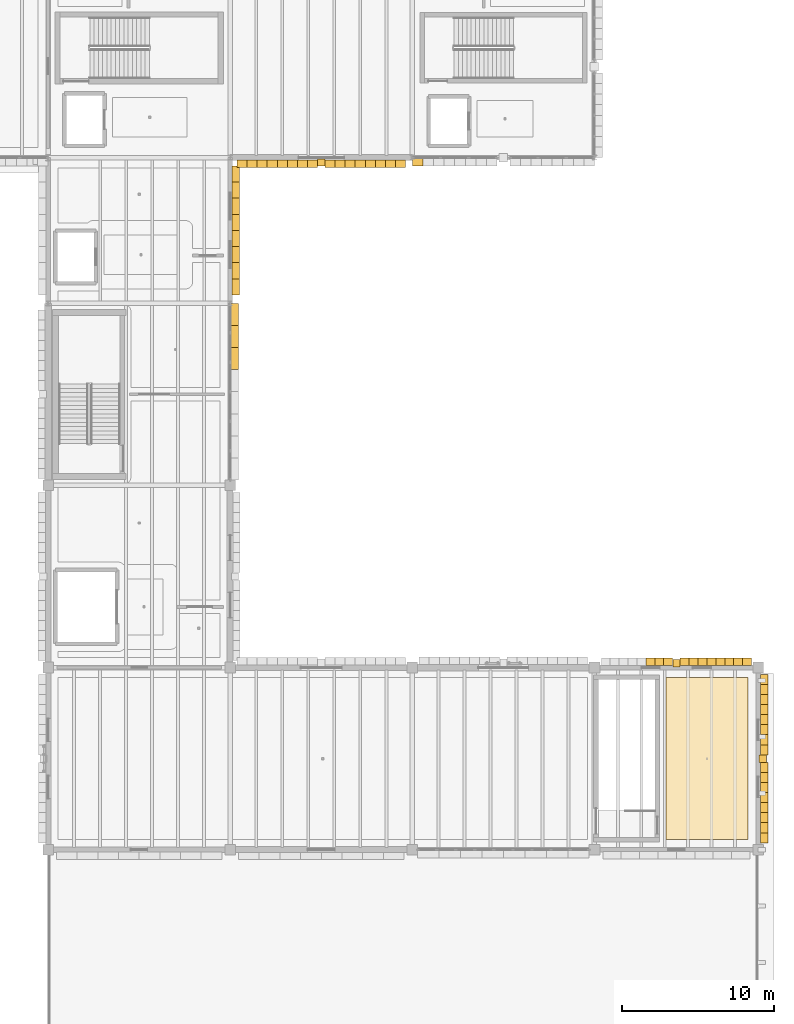
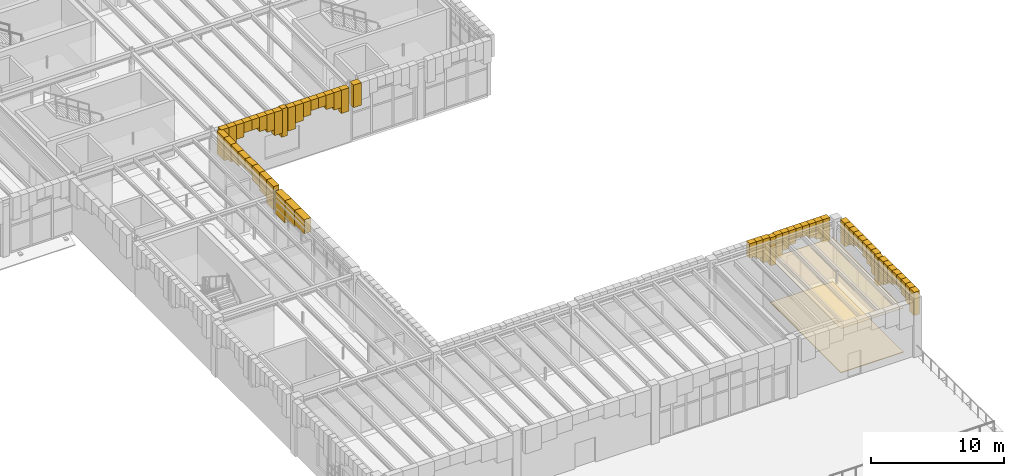
# One storey, part 92 of 100: 60 coverings.
"""IFC4 building model written with IfcOpenShell, lengths in metres."""

from ifc_helpers import new_model, si_unit, direction, frame, origin, place, context, subcontext, project, spatial, polyline, outline, extrude, material, layer, layer_set, type_object, element, save


model = new_model("IFC4")

# Units and contexts
model_context = context("Model", 3, precision=1e-05, world=origin(), true_north=direction((0.0, 1.0)))
body_context = subcontext(model_context, "Body", "Model", "MODEL_VIEW")
ifc_project = project(units=[si_unit("LENGTHUNIT", "METRE"), si_unit("AREAUNIT", "SQUARE_METRE"), si_unit("VOLUMEUNIT", "CUBIC_METRE"), si_unit("PLANEANGLEUNIT", "RADIAN"), si_unit("MASSUNIT", "GRAM", prefix="KILO")], contexts=[model_context])

# Site, building, storey
site_placement = place(None, origin())
site = spatial("IfcSite", under=ifc_project, at=site_placement, CompositionType="ELEMENT")
building_placement = place(site_placement, origin())
building = spatial("IfcBuilding", under=site, at=building_placement, Name="Zlatogorsky Bluff Art Gallery", CompositionType="ELEMENT")
storey_placement = place(building_placement, frame((0.0, 0.0, 5.39990234375)))
storey = spatial("IfcBuildingStorey", under=building, at=storey_placement, Name="L01", CompositionType="ELEMENT", Elevation=5.39990234375)

# Coverings
ifc_material_1 = material(Name="Perforated Gypsum Acoustic Board", Category="gypsum")
ifc_layer_1 = layer(ifc_material_1, 0.0400390625)
ifc_layer_set_1 = layer_set([ifc_layer_1], Name="Acoustic Gallery Ceiling CLG-01")
covering_type_1 = type_object("IfcCoveringType", Name="Acoustic Gallery Ceiling CLG-01", PredefinedType="CEILING", material=ifc_layer_set_1)
covering_1_placement = place(storey_placement, frame((0.0, 0.0, 4.050048828125)))
element("IfcCovering", 1, at=covering_1_placement, inside=storey, type_object=covering_type_1, Name="Paper and Textile Conservation Studio acoustic ceiling", PredefinedType="CEILING", context=body_context, shape_type="SweptSolid", body=[
    extrude(outline(polyline([(160.7099609375, 49.72998046875), (166.1298828125, 49.72998046875), (166.1298828125, 39.070068359375), (160.7099609375, 39.070068359375), (160.7099609375, 49.72998046875)])), origin(), (0.0, 0.0, 1.0), 0.0400390625),
])
ifc_material_2 = material(Name="Honed Red Agra-Tone Quartzitic Sandstone", Category="masonry")
ifc_layer_2 = layer(ifc_material_2, 0.1201171875)
ifc_layer_set_2 = layer_set([ifc_layer_2], Name="Carved Sandstone Cladding CLD-02")
covering_type_2 = type_object("IfcCoveringType", Name="Carved Sandstone Cladding CLD-02", PredefinedType="CLADDING", material=ifc_layer_set_2)
covering_2_placement = place(storey_placement, frame((0.0, 0.0, 4.076416015625)))
element("IfcCovering", 2, at=covering_2_placement, inside=storey, type_object=covering_type_2, Name="Pointed Mughal arch voussoir spandrel ARCH-CW-L01-E-10-06.6", PredefinedType="CLADDING", context=body_context, shape_type="SweptSolid", body=[
    extrude(outline(polyline([(131.969970703125, 70.029296875), (131.969970703125, 71.486328125), (132.5400390625, 71.486328125), (132.5400390625, 70.029296875), (131.969970703125, 70.029296875)])), origin(), (0.0, 0.0, 1.0), 1.28369140625),
])
covering_3_placement = place(storey_placement, frame((0.0, 0.0, 3.7998046875)))
element("IfcCovering", 3, at=covering_3_placement, inside=storey, type_object=covering_type_2, Name="Pointed Mughal arch voussoir spandrel ARCH-CW-L01-E-10-06.7", PredefinedType="CLADDING", context=body_context, shape_type="SweptSolid", body=[
    extrude(outline(polyline([(131.969970703125, 71.486328125), (131.969970703125, 72.943115234375), (132.5400390625, 72.943115234375), (132.5400390625, 71.486328125), (131.969970703125, 71.486328125)])), origin(), (0.0, 0.0, 1.0), 1.560302734375),
])
covering_4_placement = place(storey_placement, frame((0.0, 0.0, 3.2978515625)))
element("IfcCovering", 4, at=covering_4_placement, inside=storey, type_object=covering_type_2, Name="Pointed Mughal arch voussoir spandrel ARCH-CW-L01-E-10-06.8", PredefinedType="CLADDING", context=body_context, shape_type="SweptSolid", body=[
    extrude(outline(polyline([(131.969970703125, 72.943115234375), (131.969970703125, 74.39990234375), (132.5400390625, 74.39990234375), (132.5400390625, 72.943115234375), (131.969970703125, 72.943115234375)])), origin(), (0.0, 0.0, 1.0), 2.062255859375),
])
covering_5_placement = place(storey_placement, frame((0.0, 0.0, 3.222412109375)))
element("IfcCovering", 5, at=covering_5_placement, inside=storey, type_object=covering_type_2, Name="Pointed Mughal arch voussoir spandrel WARCH-L01-E-10-07-A.1", PredefinedType="CLADDING", context=body_context, shape_type="SweptSolid", body=[
    extrude(outline(polyline([(132.1298828125, 74.949951171875), (132.1298828125, 76.012451171875), (132.6201171875, 76.012451171875), (132.6201171875, 74.949951171875), (132.1298828125, 74.949951171875)])), origin(), (0.0, 0.0, 1.0), 2.1376953125),
])
covering_6_placement = place(storey_placement, frame((0.0, 0.0, 3.75390625)))
element("IfcCovering", 6, at=covering_6_placement, inside=storey, type_object=covering_type_2, Name="Pointed Mughal arch voussoir spandrel WARCH-L01-E-10-07-A.2", PredefinedType="CLADDING", context=body_context, shape_type="SweptSolid", body=[
    extrude(outline(polyline([(132.1298828125, 76.012451171875), (132.1298828125, 77.074951171875), (132.6201171875, 77.074951171875), (132.6201171875, 76.012451171875), (132.1298828125, 76.012451171875)])), origin(), (0.0, 0.0, 1.0), 1.606201171875),
])
covering_7_placement = place(storey_placement, frame((0.0, 0.0, 4.046875)))
element("IfcCovering", 7, at=covering_7_placement, inside=storey, type_object=covering_type_2, Name="Pointed Mughal arch voussoir spandrel WARCH-L01-E-10-07-A.3", PredefinedType="CLADDING", context=body_context, shape_type="SweptSolid", body=[
    extrude(outline(polyline([(132.1298828125, 77.074951171875), (132.1298828125, 78.137451171875), (132.6201171875, 78.137451171875), (132.6201171875, 77.074951171875), (132.1298828125, 77.074951171875)])), origin(), (0.0, 0.0, 1.0), 1.313232421875),
])
covering_8_placement = place(storey_placement, frame((0.0, 0.0, 4.41552734375)))
element("IfcCovering", 8, at=covering_8_placement, inside=storey, type_object=covering_type_2, Name="Pointed Mughal arch voussoir spandrel WARCH-L01-E-10-07-A.4", PredefinedType="CLADDING", context=body_context, shape_type="SweptSolid", body=[
    extrude(outline(polyline([(132.1298828125, 78.137451171875), (132.1298828125, 79.199951171875), (132.6201171875, 79.199951171875), (132.6201171875, 78.137451171875), (132.1298828125, 78.137451171875)])), origin(), (0.0, 0.0, 1.0), 0.944580078125),
])
covering_9_placement = place(storey_placement, frame((0.0, 0.0, 4.41552734375)))
element("IfcCovering", 9, at=covering_9_placement, inside=storey, type_object=covering_type_2, Name="Pointed Mughal arch voussoir spandrel WARCH-L01-E-10-07-A.5", PredefinedType="CLADDING", context=body_context, shape_type="SweptSolid", body=[
    extrude(outline(polyline([(132.1298828125, 79.199951171875), (132.1298828125, 80.262451171875), (132.6201171875, 80.262451171875), (132.6201171875, 79.199951171875), (132.1298828125, 79.199951171875)])), origin(), (0.0, 0.0, 1.0), 0.944580078125),
])
covering_10_placement = place(storey_placement, frame((0.0, 0.0, 4.046875)))
element("IfcCovering", 10, at=covering_10_placement, inside=storey, type_object=covering_type_2, Name="Pointed Mughal arch voussoir spandrel WARCH-L01-E-10-07-A.6", PredefinedType="CLADDING", context=body_context, shape_type="SweptSolid", body=[
    extrude(outline(polyline([(132.1298828125, 80.262451171875), (132.1298828125, 81.324951171875), (132.6201171875, 81.324951171875), (132.6201171875, 80.262451171875), (132.1298828125, 80.262451171875)])), origin(), (0.0, 0.0, 1.0), 1.313232421875),
])
covering_11_placement = place(storey_placement, frame((0.0, 0.0, 3.75390625)))
element("IfcCovering", 11, at=covering_11_placement, inside=storey, type_object=covering_type_2, Name="Pointed Mughal arch voussoir spandrel WARCH-L01-E-10-07-A.7", PredefinedType="CLADDING", context=body_context, shape_type="SweptSolid", body=[
    extrude(outline(polyline([(132.1298828125, 81.324951171875), (132.1298828125, 82.387451171875), (132.6201171875, 82.387451171875), (132.6201171875, 81.324951171875), (132.1298828125, 81.324951171875)])), origin(), (0.0, 0.0, 1.0), 1.606201171875),
])
covering_12_placement = place(storey_placement, frame((0.0, 0.0, 3.222412109375)))
element("IfcCovering", 12, at=covering_12_placement, inside=storey, type_object=covering_type_2, Name="Pointed Mughal arch voussoir spandrel WARCH-L01-E-10-07-A.8", PredefinedType="CLADDING", context=body_context, shape_type="SweptSolid", body=[
    extrude(outline(polyline([(132.1298828125, 82.387451171875), (132.1298828125, 83.449951171875), (132.6201171875, 83.449951171875), (132.6201171875, 82.387451171875), (132.1298828125, 82.387451171875)])), origin(), (0.0, 0.0, 1.0), 2.1376953125),
])
covering_13_placement = place(storey_placement, frame((0.0, 0.0, 2.780029296875)))
element("IfcCovering", 13, at=covering_13_placement, inside=storey, type_object=covering_type_2, Name="Mughal blind-arch sandstone pilaster L01.S.11.8", PredefinedType="CLADDING", context=body_context, shape_type="SweptSolid", body=[
    extrude(outline(polyline([(137.760009765625, 83.43994140625), (138.239990234375, 83.43994140625), (138.239990234375, 83.919921875), (137.760009765625, 83.919921875), (137.760009765625, 83.43994140625)])), origin(), (0.0, 0.0, 1.0), 2.580078125),
])
covering_14_placement = place(storey_placement, frame((0.0, 0.0, 3.222412109375)))
element("IfcCovering", 14, at=covering_14_placement, inside=storey, type_object=covering_type_2, Name="Pointed Mughal arch voussoir spandrel WARCH-L01-S-11-08-A.1", PredefinedType="CLADDING", context=body_context, shape_type="SweptSolid", body=[
    extrude(outline(polyline([(132.449951171875, 83.340087890625), (133.112548828125, 83.340087890625), (133.112548828125, 83.830078125), (132.449951171875, 83.830078125), (132.449951171875, 83.340087890625)])), origin(), (0.0, 0.0, 1.0), 2.1376953125),
])
covering_15_placement = place(storey_placement, frame((0.0, 0.0, 3.75390625)))
element("IfcCovering", 15, at=covering_15_placement, inside=storey, type_object=covering_type_2, Name="Pointed Mughal arch voussoir spandrel WARCH-L01-S-11-08-A.2", PredefinedType="CLADDING", context=body_context, shape_type="SweptSolid", body=[
    extrude(outline(polyline([(133.112548828125, 83.340087890625), (133.77490234375, 83.340087890625), (133.77490234375, 83.830078125), (133.112548828125, 83.830078125), (133.112548828125, 83.340087890625)])), origin(), (0.0, 0.0, 1.0), 1.606201171875),
])
covering_16_placement = place(storey_placement, frame((0.0, 0.0, 4.046875)))
element("IfcCovering", 16, at=covering_16_placement, inside=storey, type_object=covering_type_2, Name="Pointed Mughal arch voussoir spandrel WARCH-L01-S-11-08-A.3", PredefinedType="CLADDING", context=body_context, shape_type="SweptSolid", body=[
    extrude(outline(polyline([(133.77490234375, 83.340087890625), (134.4375, 83.340087890625), (134.4375, 83.830078125), (133.77490234375, 83.830078125), (133.77490234375, 83.340087890625)])), origin(), (0.0, 0.0, 1.0), 1.313232421875),
])
covering_17_placement = place(storey_placement, frame((0.0, 0.0, 4.41552734375)))
element("IfcCovering", 17, at=covering_17_placement, inside=storey, type_object=covering_type_2, Name="Pointed Mughal arch voussoir spandrel WARCH-L01-S-11-08-A.4", PredefinedType="CLADDING", context=body_context, shape_type="SweptSolid", body=[
    extrude(outline(polyline([(134.4375, 83.340087890625), (135.10009765625, 83.340087890625), (135.10009765625, 83.830078125), (134.4375, 83.830078125), (134.4375, 83.340087890625)])), origin(), (0.0, 0.0, 1.0), 0.944580078125),
])
covering_18_placement = place(storey_placement, frame((0.0, 0.0, 4.41552734375)))
element("IfcCovering", 18, at=covering_18_placement, inside=storey, type_object=covering_type_2, Name="Pointed Mughal arch voussoir spandrel WARCH-L01-S-11-08-A.5", PredefinedType="CLADDING", context=body_context, shape_type="SweptSolid", body=[
    extrude(outline(polyline([(135.10009765625, 83.340087890625), (135.762451171875, 83.340087890625), (135.762451171875, 83.830078125), (135.10009765625, 83.830078125), (135.10009765625, 83.340087890625)])), origin(), (0.0, 0.0, 1.0), 0.944580078125),
])
covering_19_placement = place(storey_placement, frame((0.0, 0.0, 4.046875)))
element("IfcCovering", 19, at=covering_19_placement, inside=storey, type_object=covering_type_2, Name="Pointed Mughal arch voussoir spandrel WARCH-L01-S-11-08-A.6", PredefinedType="CLADDING", context=body_context, shape_type="SweptSolid", body=[
    extrude(outline(polyline([(135.762451171875, 83.340087890625), (136.425048828125, 83.340087890625), (136.425048828125, 83.830078125), (135.762451171875, 83.830078125), (135.762451171875, 83.340087890625)])), origin(), (0.0, 0.0, 1.0), 1.313232421875),
])
covering_20_placement = place(storey_placement, frame((0.0, 0.0, 3.75390625)))
element("IfcCovering", 20, at=covering_20_placement, inside=storey, type_object=covering_type_2, Name="Pointed Mughal arch voussoir spandrel WARCH-L01-S-11-08-A.7", PredefinedType="CLADDING", context=body_context, shape_type="SweptSolid", body=[
    extrude(outline(polyline([(136.425048828125, 83.340087890625), (137.08740234375, 83.340087890625), (137.08740234375, 83.830078125), (136.425048828125, 83.830078125), (136.425048828125, 83.340087890625)])), origin(), (0.0, 0.0, 1.0), 1.606201171875),
])
covering_21_placement = place(storey_placement, frame((0.0, 0.0, 3.222412109375)))
element("IfcCovering", 21, at=covering_21_placement, inside=storey, type_object=covering_type_2, Name="Pointed Mughal arch voussoir spandrel WARCH-L01-S-11-08-A.8", PredefinedType="CLADDING", context=body_context, shape_type="SweptSolid", body=[
    extrude(outline(polyline([(137.08740234375, 83.340087890625), (137.75, 83.340087890625), (137.75, 83.830078125), (137.08740234375, 83.830078125), (137.08740234375, 83.340087890625)])), origin(), (0.0, 0.0, 1.0), 2.1376953125),
])
covering_22_placement = place(storey_placement, frame((0.0, 0.0, 3.222412109375)))
element("IfcCovering", 22, at=covering_22_placement, inside=storey, type_object=covering_type_2, Name="Pointed Mughal arch voussoir spandrel WARCH-L01-S-11-08-B.1", PredefinedType="CLADDING", context=body_context, shape_type="SweptSolid", body=[
    extrude(outline(polyline([(138.25, 83.340087890625), (138.91259765625, 83.340087890625), (138.91259765625, 83.830078125), (138.25, 83.830078125), (138.25, 83.340087890625)])), origin(), (0.0, 0.0, 1.0), 2.1376953125),
])
covering_23_placement = place(storey_placement, frame((0.0, 0.0, 3.75390625)))
element("IfcCovering", 23, at=covering_23_placement, inside=storey, type_object=covering_type_2, Name="Pointed Mughal arch voussoir spandrel WARCH-L01-S-11-08-B.2", PredefinedType="CLADDING", context=body_context, shape_type="SweptSolid", body=[
    extrude(outline(polyline([(138.91259765625, 83.340087890625), (139.574951171875, 83.340087890625), (139.574951171875, 83.830078125), (138.91259765625, 83.830078125), (138.91259765625, 83.340087890625)])), origin(), (0.0, 0.0, 1.0), 1.606201171875),
])
covering_24_placement = place(storey_placement, frame((0.0, 0.0, 4.046875)))
element("IfcCovering", 24, at=covering_24_placement, inside=storey, type_object=covering_type_2, Name="Pointed Mughal arch voussoir spandrel WARCH-L01-S-11-08-B.3", PredefinedType="CLADDING", context=body_context, shape_type="SweptSolid", body=[
    extrude(outline(polyline([(139.574951171875, 83.340087890625), (140.237548828125, 83.340087890625), (140.237548828125, 83.830078125), (139.574951171875, 83.830078125), (139.574951171875, 83.340087890625)])), origin(), (0.0, 0.0, 1.0), 1.313232421875),
])
covering_25_placement = place(storey_placement, frame((0.0, 0.0, 4.41552734375)))
element("IfcCovering", 25, at=covering_25_placement, inside=storey, type_object=covering_type_2, Name="Pointed Mughal arch voussoir spandrel WARCH-L01-S-11-08-B.4", PredefinedType="CLADDING", context=body_context, shape_type="SweptSolid", body=[
    extrude(outline(polyline([(140.237548828125, 83.340087890625), (140.89990234375, 83.340087890625), (140.89990234375, 83.830078125), (140.237548828125, 83.830078125), (140.237548828125, 83.340087890625)])), origin(), (0.0, 0.0, 1.0), 0.944580078125),
])
covering_26_placement = place(storey_placement, frame((0.0, 0.0, 4.41552734375)))
element("IfcCovering", 26, at=covering_26_placement, inside=storey, type_object=covering_type_2, Name="Pointed Mughal arch voussoir spandrel WARCH-L01-S-11-08-B.5", PredefinedType="CLADDING", context=body_context, shape_type="SweptSolid", body=[
    extrude(outline(polyline([(140.89990234375, 83.340087890625), (141.5625, 83.340087890625), (141.5625, 83.830078125), (140.89990234375, 83.830078125), (140.89990234375, 83.340087890625)])), origin(), (0.0, 0.0, 1.0), 0.944580078125),
])
covering_27_placement = place(storey_placement, frame((0.0, 0.0, 4.046875)))
element("IfcCovering", 27, at=covering_27_placement, inside=storey, type_object=covering_type_2, Name="Pointed Mughal arch voussoir spandrel WARCH-L01-S-11-08-B.6", PredefinedType="CLADDING", context=body_context, shape_type="SweptSolid", body=[
    extrude(outline(polyline([(141.5625, 83.340087890625), (142.22509765625, 83.340087890625), (142.22509765625, 83.830078125), (141.5625, 83.830078125), (141.5625, 83.340087890625)])), origin(), (0.0, 0.0, 1.0), 1.313232421875),
])
covering_28_placement = place(storey_placement, frame((0.0, 0.0, 3.75390625)))
element("IfcCovering", 28, at=covering_28_placement, inside=storey, type_object=covering_type_2, Name="Pointed Mughal arch voussoir spandrel WARCH-L01-S-11-08-B.7", PredefinedType="CLADDING", context=body_context, shape_type="SweptSolid", body=[
    extrude(outline(polyline([(142.22509765625, 83.340087890625), (142.887451171875, 83.340087890625), (142.887451171875, 83.830078125), (142.22509765625, 83.830078125), (142.22509765625, 83.340087890625)])), origin(), (0.0, 0.0, 1.0), 1.606201171875),
])
covering_29_placement = place(storey_placement, frame((0.0, 0.0, 3.222412109375)))
element("IfcCovering", 29, at=covering_29_placement, inside=storey, type_object=covering_type_2, Name="Pointed Mughal arch voussoir spandrel WARCH-L01-S-11-08-B.8", PredefinedType="CLADDING", context=body_context, shape_type="SweptSolid", body=[
    extrude(outline(polyline([(142.887451171875, 83.340087890625), (143.550048828125, 83.340087890625), (143.550048828125, 83.830078125), (142.887451171875, 83.830078125), (142.887451171875, 83.340087890625)])), origin(), (0.0, 0.0, 1.0), 2.1376953125),
])
covering_30_placement = place(storey_placement, frame((0.0, 0.0, 3.2978515625)))
element("IfcCovering", 30, at=covering_30_placement, inside=storey, type_object=covering_type_2, Name="Pointed Mughal arch voussoir spandrel ARCH-CW-L01-S-12-08-A.1", PredefinedType="CLADDING", context=body_context, shape_type="SweptSolid", body=[
    extrude(outline(polyline([(144.0, 83.4599609375), (144.697509765625, 83.4599609375), (144.697509765625, 84.030029296875), (144.0, 84.030029296875), (144.0, 83.4599609375)])), origin(), (0.0, 0.0, 1.0), 2.062255859375),
])
covering_31_placement = place(storey_placement, frame((0.0, 0.0, 2.780029296875)))
element("IfcCovering", 31, at=covering_31_placement, inside=storey, type_object=covering_type_2, Name="Mughal blind-arch sandstone pilaster L01.N.13.4", PredefinedType="CLADDING", context=body_context, shape_type="SweptSolid", body=[
    extrude(outline(polyline([(161.159912109375, 50.43994140625), (161.639892578125, 50.43994140625), (161.639892578125, 50.919921875), (161.159912109375, 50.919921875), (161.159912109375, 50.43994140625)])), origin(), (0.0, 0.0, 1.0), 2.580078125),
])
covering_32_placement = place(storey_placement, frame((0.0, 0.0, 4.046875)))
element("IfcCovering", 32, at=covering_32_placement, inside=storey, type_object=covering_type_2, Name="Pointed Mughal arch voussoir spandrel WARCH-L01-N-13-04-A.6", PredefinedType="CLADDING", context=body_context, shape_type="SweptSolid", body=[
    extrude(outline(polyline([(159.387451171875, 50.530029296875), (159.97509765625, 50.530029296875), (159.97509765625, 51.02001953125), (159.387451171875, 51.02001953125), (159.387451171875, 50.530029296875)])), origin(), (0.0, 0.0, 1.0), 1.313232421875),
])
covering_33_placement = place(storey_placement, frame((0.0, 0.0, 3.75390625)))
element("IfcCovering", 33, at=covering_33_placement, inside=storey, type_object=covering_type_2, Name="Pointed Mughal arch voussoir spandrel WARCH-L01-N-13-04-A.7", PredefinedType="CLADDING", context=body_context, shape_type="SweptSolid", body=[
    extrude(outline(polyline([(159.97509765625, 50.530029296875), (160.5625, 50.530029296875), (160.5625, 51.02001953125), (159.97509765625, 51.02001953125), (159.97509765625, 50.530029296875)])), origin(), (0.0, 0.0, 1.0), 1.606201171875),
])
covering_34_placement = place(storey_placement, frame((0.0, 0.0, 3.222412109375)))
element("IfcCovering", 34, at=covering_34_placement, inside=storey, type_object=covering_type_2, Name="Pointed Mughal arch voussoir spandrel WARCH-L01-N-13-04-A.8", PredefinedType="CLADDING", context=body_context, shape_type="SweptSolid", body=[
    extrude(outline(polyline([(160.5625, 50.530029296875), (161.14990234375, 50.530029296875), (161.14990234375, 51.02001953125), (160.5625, 51.02001953125), (160.5625, 50.530029296875)])), origin(), (0.0, 0.0, 1.0), 2.1376953125),
])
covering_35_placement = place(storey_placement, frame((0.0, 0.0, 3.222412109375)))
element("IfcCovering", 35, at=covering_35_placement, inside=storey, type_object=covering_type_2, Name="Pointed Mughal arch voussoir spandrel WARCH-L01-N-13-04-B.1", PredefinedType="CLADDING", context=body_context, shape_type="SweptSolid", body=[
    extrude(outline(polyline([(161.64990234375, 50.530029296875), (162.237548828125, 50.530029296875), (162.237548828125, 51.02001953125), (161.64990234375, 51.02001953125), (161.64990234375, 50.530029296875)])), origin(), (0.0, 0.0, 1.0), 2.1376953125),
])
covering_36_placement = place(storey_placement, frame((0.0, 0.0, 3.75390625)))
element("IfcCovering", 36, at=covering_36_placement, inside=storey, type_object=covering_type_2, Name="Pointed Mughal arch voussoir spandrel WARCH-L01-N-13-04-B.2", PredefinedType="CLADDING", context=body_context, shape_type="SweptSolid", body=[
    extrude(outline(polyline([(162.237548828125, 50.530029296875), (162.824951171875, 50.530029296875), (162.824951171875, 51.02001953125), (162.237548828125, 51.02001953125), (162.237548828125, 50.530029296875)])), origin(), (0.0, 0.0, 1.0), 1.606201171875),
])
covering_37_placement = place(storey_placement, frame((0.0, 0.0, 4.046875)))
element("IfcCovering", 37, at=covering_37_placement, inside=storey, type_object=covering_type_2, Name="Pointed Mughal arch voussoir spandrel WARCH-L01-N-13-04-B.3", PredefinedType="CLADDING", context=body_context, shape_type="SweptSolid", body=[
    extrude(outline(polyline([(162.824951171875, 50.530029296875), (163.41259765625, 50.530029296875), (163.41259765625, 51.02001953125), (162.824951171875, 51.02001953125), (162.824951171875, 50.530029296875)])), origin(), (0.0, 0.0, 1.0), 1.313232421875),
])
covering_38_placement = place(storey_placement, frame((0.0, 0.0, 4.41552734375)))
element("IfcCovering", 38, at=covering_38_placement, inside=storey, type_object=covering_type_2, Name="Pointed Mughal arch voussoir spandrel WARCH-L01-N-13-04-B.4", PredefinedType="CLADDING", context=body_context, shape_type="SweptSolid", body=[
    extrude(outline(polyline([(163.41259765625, 50.530029296875), (164.0, 50.530029296875), (164.0, 51.02001953125), (163.41259765625, 51.02001953125), (163.41259765625, 50.530029296875)])), origin(), (0.0, 0.0, 1.0), 0.944580078125),
])
covering_39_placement = place(storey_placement, frame((0.0, 0.0, 4.41552734375)))
element("IfcCovering", 39, at=covering_39_placement, inside=storey, type_object=covering_type_2, Name="Pointed Mughal arch voussoir spandrel WARCH-L01-N-13-04-B.5", PredefinedType="CLADDING", context=body_context, shape_type="SweptSolid", body=[
    extrude(outline(polyline([(164.0, 50.530029296875), (164.58740234375, 50.530029296875), (164.58740234375, 51.02001953125), (164.0, 51.02001953125), (164.0, 50.530029296875)])), origin(), (0.0, 0.0, 1.0), 0.944580078125),
])
covering_40_placement = place(storey_placement, frame((0.0, 0.0, 4.046875)))
element("IfcCovering", 40, at=covering_40_placement, inside=storey, type_object=covering_type_2, Name="Pointed Mughal arch voussoir spandrel WARCH-L01-N-13-04-B.6", PredefinedType="CLADDING", context=body_context, shape_type="SweptSolid", body=[
    extrude(outline(polyline([(164.58740234375, 50.530029296875), (165.175048828125, 50.530029296875), (165.175048828125, 51.02001953125), (164.58740234375, 51.02001953125), (164.58740234375, 50.530029296875)])), origin(), (0.0, 0.0, 1.0), 1.313232421875),
])
covering_41_placement = place(storey_placement, frame((0.0, 0.0, 3.75390625)))
element("IfcCovering", 41, at=covering_41_placement, inside=storey, type_object=covering_type_2, Name="Pointed Mughal arch voussoir spandrel WARCH-L01-N-13-04-B.7", PredefinedType="CLADDING", context=body_context, shape_type="SweptSolid", body=[
    extrude(outline(polyline([(165.175048828125, 50.530029296875), (165.762451171875, 50.530029296875), (165.762451171875, 51.02001953125), (165.175048828125, 51.02001953125), (165.175048828125, 50.530029296875)])), origin(), (0.0, 0.0, 1.0), 1.606201171875),
])
covering_42_placement = place(storey_placement, frame((0.0, 0.0, 3.222412109375)))
element("IfcCovering", 42, at=covering_42_placement, inside=storey, type_object=covering_type_2, Name="Pointed Mughal arch voussoir spandrel WARCH-L01-N-13-04-B.8", PredefinedType="CLADDING", context=body_context, shape_type="SweptSolid", body=[
    extrude(outline(polyline([(165.762451171875, 50.530029296875), (166.35009765625, 50.530029296875), (166.35009765625, 51.02001953125), (165.762451171875, 51.02001953125), (165.762451171875, 50.530029296875)])), origin(), (0.0, 0.0, 1.0), 2.1376953125),
])
covering_43_placement = place(storey_placement, frame((0.0, 0.0, 2.780029296875)))
element("IfcCovering", 43, at=covering_43_placement, inside=storey, type_object=covering_type_2, Name="Mughal blind-arch sandstone pilaster L01.E.13.4", PredefinedType="CLADDING", context=body_context, shape_type="SweptSolid", body=[
    extrude(outline(polyline([(166.840087890625, 44.159912109375), (167.320068359375, 44.159912109375), (167.320068359375, 44.639892578125), (166.840087890625, 44.639892578125), (166.840087890625, 44.159912109375)])), origin(), (0.0, 0.0, 1.0), 2.580078125),
])
covering_44_placement = place(storey_placement, frame((0.0, 0.0, 3.222412109375)))
element("IfcCovering", 44, at=covering_44_placement, inside=storey, type_object=covering_type_2, Name="Pointed Mughal arch voussoir spandrel WARCH-L01-E-13-04-A.1", PredefinedType="CLADDING", context=body_context, shape_type="SweptSolid", body=[
    extrude(outline(polyline([(166.929931640625, 38.85009765625), (166.929931640625, 39.512451171875), (167.419921875, 39.512451171875), (167.419921875, 38.85009765625), (166.929931640625, 38.85009765625)])), origin(), (0.0, 0.0, 1.0), 2.1376953125),
])
covering_45_placement = place(storey_placement, frame((0.0, 0.0, 3.75390625)))
element("IfcCovering", 45, at=covering_45_placement, inside=storey, type_object=covering_type_2, Name="Pointed Mughal arch voussoir spandrel WARCH-L01-E-13-04-A.2", PredefinedType="CLADDING", context=body_context, shape_type="SweptSolid", body=[
    extrude(outline(polyline([(166.929931640625, 39.512451171875), (166.929931640625, 40.175048828125), (167.419921875, 40.175048828125), (167.419921875, 39.512451171875), (166.929931640625, 39.512451171875)])), origin(), (0.0, 0.0, 1.0), 1.606201171875),
])
covering_46_placement = place(storey_placement, frame((0.0, 0.0, 4.046875)))
element("IfcCovering", 46, at=covering_46_placement, inside=storey, type_object=covering_type_2, Name="Pointed Mughal arch voussoir spandrel WARCH-L01-E-13-04-A.3", PredefinedType="CLADDING", context=body_context, shape_type="SweptSolid", body=[
    extrude(outline(polyline([(166.929931640625, 40.175048828125), (166.929931640625, 40.83740234375), (167.419921875, 40.83740234375), (167.419921875, 40.175048828125), (166.929931640625, 40.175048828125)])), origin(), (0.0, 0.0, 1.0), 1.313232421875),
])
covering_47_placement = place(storey_placement, frame((0.0, 0.0, 4.41552734375)))
element("IfcCovering", 47, at=covering_47_placement, inside=storey, type_object=covering_type_2, Name="Pointed Mughal arch voussoir spandrel WARCH-L01-E-13-04-A.4", PredefinedType="CLADDING", context=body_context, shape_type="SweptSolid", body=[
    extrude(outline(polyline([(166.929931640625, 40.83740234375), (166.929931640625, 41.5), (167.419921875, 41.5), (167.419921875, 40.83740234375), (166.929931640625, 40.83740234375)])), origin(), (0.0, 0.0, 1.0), 0.944580078125),
])
covering_48_placement = place(storey_placement, frame((0.0, 0.0, 4.41552734375)))
element("IfcCovering", 48, at=covering_48_placement, inside=storey, type_object=covering_type_2, Name="Pointed Mughal arch voussoir spandrel WARCH-L01-E-13-04-A.5", PredefinedType="CLADDING", context=body_context, shape_type="SweptSolid", body=[
    extrude(outline(polyline([(166.929931640625, 41.5), (166.929931640625, 42.16259765625), (167.419921875, 42.16259765625), (167.419921875, 41.5), (166.929931640625, 41.5)])), origin(), (0.0, 0.0, 1.0), 0.944580078125),
])
covering_49_placement = place(storey_placement, frame((0.0, 0.0, 4.046875)))
element("IfcCovering", 49, at=covering_49_placement, inside=storey, type_object=covering_type_2, Name="Pointed Mughal arch voussoir spandrel WARCH-L01-E-13-04-A.6", PredefinedType="CLADDING", context=body_context, shape_type="SweptSolid", body=[
    extrude(outline(polyline([(166.929931640625, 42.16259765625), (166.929931640625, 42.824951171875), (167.419921875, 42.824951171875), (167.419921875, 42.16259765625), (166.929931640625, 42.16259765625)])), origin(), (0.0, 0.0, 1.0), 1.313232421875),
])
covering_50_placement = place(storey_placement, frame((0.0, 0.0, 3.75390625)))
element("IfcCovering", 50, at=covering_50_placement, inside=storey, type_object=covering_type_2, Name="Pointed Mughal arch voussoir spandrel WARCH-L01-E-13-04-A.7", PredefinedType="CLADDING", context=body_context, shape_type="SweptSolid", body=[
    extrude(outline(polyline([(166.929931640625, 42.824951171875), (166.929931640625, 43.487548828125), (167.419921875, 43.487548828125), (167.419921875, 42.824951171875), (166.929931640625, 42.824951171875)])), origin(), (0.0, 0.0, 1.0), 1.606201171875),
])
covering_51_placement = place(storey_placement, frame((0.0, 0.0, 3.222412109375)))
element("IfcCovering", 51, at=covering_51_placement, inside=storey, type_object=covering_type_2, Name="Pointed Mughal arch voussoir spandrel WARCH-L01-E-13-04-A.8", PredefinedType="CLADDING", context=body_context, shape_type="SweptSolid", body=[
    extrude(outline(polyline([(166.929931640625, 43.487548828125), (166.929931640625, 44.14990234375), (167.419921875, 44.14990234375), (167.419921875, 43.487548828125), (166.929931640625, 43.487548828125)])), origin(), (0.0, 0.0, 1.0), 2.1376953125),
])
covering_52_placement = place(storey_placement, frame((0.0, 0.0, 3.222412109375)))
element("IfcCovering", 52, at=covering_52_placement, inside=storey, type_object=covering_type_2, Name="Pointed Mughal arch voussoir spandrel WARCH-L01-E-13-04-B.1", PredefinedType="CLADDING", context=body_context, shape_type="SweptSolid", body=[
    extrude(outline(polyline([(166.929931640625, 44.64990234375), (166.929931640625, 45.3125), (167.419921875, 45.3125), (167.419921875, 44.64990234375), (166.929931640625, 44.64990234375)])), origin(), (0.0, 0.0, 1.0), 2.1376953125),
])
covering_53_placement = place(storey_placement, frame((0.0, 0.0, 3.75390625)))
element("IfcCovering", 53, at=covering_53_placement, inside=storey, type_object=covering_type_2, Name="Pointed Mughal arch voussoir spandrel WARCH-L01-E-13-04-B.2", PredefinedType="CLADDING", context=body_context, shape_type="SweptSolid", body=[
    extrude(outline(polyline([(166.929931640625, 45.3125), (166.929931640625, 45.97509765625), (167.419921875, 45.97509765625), (167.419921875, 45.3125), (166.929931640625, 45.3125)])), origin(), (0.0, 0.0, 1.0), 1.606201171875),
])
covering_54_placement = place(storey_placement, frame((0.0, 0.0, 4.046875)))
element("IfcCovering", 54, at=covering_54_placement, inside=storey, type_object=covering_type_2, Name="Pointed Mughal arch voussoir spandrel WARCH-L01-E-13-04-B.3", PredefinedType="CLADDING", context=body_context, shape_type="SweptSolid", body=[
    extrude(outline(polyline([(166.929931640625, 45.97509765625), (166.929931640625, 46.637451171875), (167.419921875, 46.637451171875), (167.419921875, 45.97509765625), (166.929931640625, 45.97509765625)])), origin(), (0.0, 0.0, 1.0), 1.313232421875),
])
covering_55_placement = place(storey_placement, frame((0.0, 0.0, 4.41552734375)))
element("IfcCovering", 55, at=covering_55_placement, inside=storey, type_object=covering_type_2, Name="Pointed Mughal arch voussoir spandrel WARCH-L01-E-13-04-B.4", PredefinedType="CLADDING", context=body_context, shape_type="SweptSolid", body=[
    extrude(outline(polyline([(166.929931640625, 46.637451171875), (166.929931640625, 47.300048828125), (167.419921875, 47.300048828125), (167.419921875, 46.637451171875), (166.929931640625, 46.637451171875)])), origin(), (0.0, 0.0, 1.0), 0.944580078125),
])
covering_56_placement = place(storey_placement, frame((0.0, 0.0, 4.41552734375)))
element("IfcCovering", 56, at=covering_56_placement, inside=storey, type_object=covering_type_2, Name="Pointed Mughal arch voussoir spandrel WARCH-L01-E-13-04-B.5", PredefinedType="CLADDING", context=body_context, shape_type="SweptSolid", body=[
    extrude(outline(polyline([(166.929931640625, 47.300048828125), (166.929931640625, 47.96240234375), (167.419921875, 47.96240234375), (167.419921875, 47.300048828125), (166.929931640625, 47.300048828125)])), origin(), (0.0, 0.0, 1.0), 0.944580078125),
])
covering_57_placement = place(storey_placement, frame((0.0, 0.0, 4.046875)))
element("IfcCovering", 57, at=covering_57_placement, inside=storey, type_object=covering_type_2, Name="Pointed Mughal arch voussoir spandrel WARCH-L01-E-13-04-B.6", PredefinedType="CLADDING", context=body_context, shape_type="SweptSolid", body=[
    extrude(outline(polyline([(166.929931640625, 47.96240234375), (166.929931640625, 48.625), (167.419921875, 48.625), (167.419921875, 47.96240234375), (166.929931640625, 47.96240234375)])), origin(), (0.0, 0.0, 1.0), 1.313232421875),
])
covering_58_placement = place(storey_placement, frame((0.0, 0.0, 3.75390625)))
element("IfcCovering", 58, at=covering_58_placement, inside=storey, type_object=covering_type_2, Name="Pointed Mughal arch voussoir spandrel WARCH-L01-E-13-04-B.7", PredefinedType="CLADDING", context=body_context, shape_type="SweptSolid", body=[
    extrude(outline(polyline([(166.929931640625, 48.625), (166.929931640625, 49.28759765625), (167.419921875, 49.28759765625), (167.419921875, 48.625), (166.929931640625, 48.625)])), origin(), (0.0, 0.0, 1.0), 1.606201171875),
])
covering_59_placement = place(storey_placement, frame((0.0, 0.0, 3.222412109375)))
element("IfcCovering", 59, at=covering_59_placement, inside=storey, type_object=covering_type_2, Name="Pointed Mughal arch voussoir spandrel WARCH-L01-E-13-04-B.8", PredefinedType="CLADDING", context=body_context, shape_type="SweptSolid", body=[
    extrude(outline(polyline([(166.929931640625, 49.28759765625), (166.929931640625, 49.949951171875), (167.419921875, 49.949951171875), (167.419921875, 49.28759765625), (166.929931640625, 49.28759765625)])), origin(), (0.0, 0.0, 1.0), 2.1376953125),
])
ifc_material_3 = material(Name="Polished Ural Marble Terrazzo", Category="masonry")
ifc_layer_3 = layer(ifc_material_3, 0.050048828125)
ifc_layer_set_3 = layer_set([ifc_layer_3], Name="Terrazzo Gallery Flooring FLR-01")
covering_type_3 = type_object("IfcCoveringType", Name="Terrazzo Gallery Flooring FLR-01", PredefinedType="FLOORING", material=ifc_layer_set_3)
covering_60_placement = place(storey_placement, origin())
element("IfcCovering", 60, at=covering_60_placement, inside=storey, type_object=covering_type_3, Name="Paper and Textile Conservation Studio terrazzo floor finish", PredefinedType="FLOORING", context=body_context, shape_type="SweptSolid", body=[
    extrude(outline(polyline([(160.7099609375, 49.72998046875), (166.1298828125, 49.72998046875), (166.1298828125, 39.070068359375), (160.7099609375, 39.070068359375), (160.7099609375, 49.72998046875)])), origin(), (0.0, 0.0, 1.0), 0.050048828125),
])

save(model, "model.ifc")
